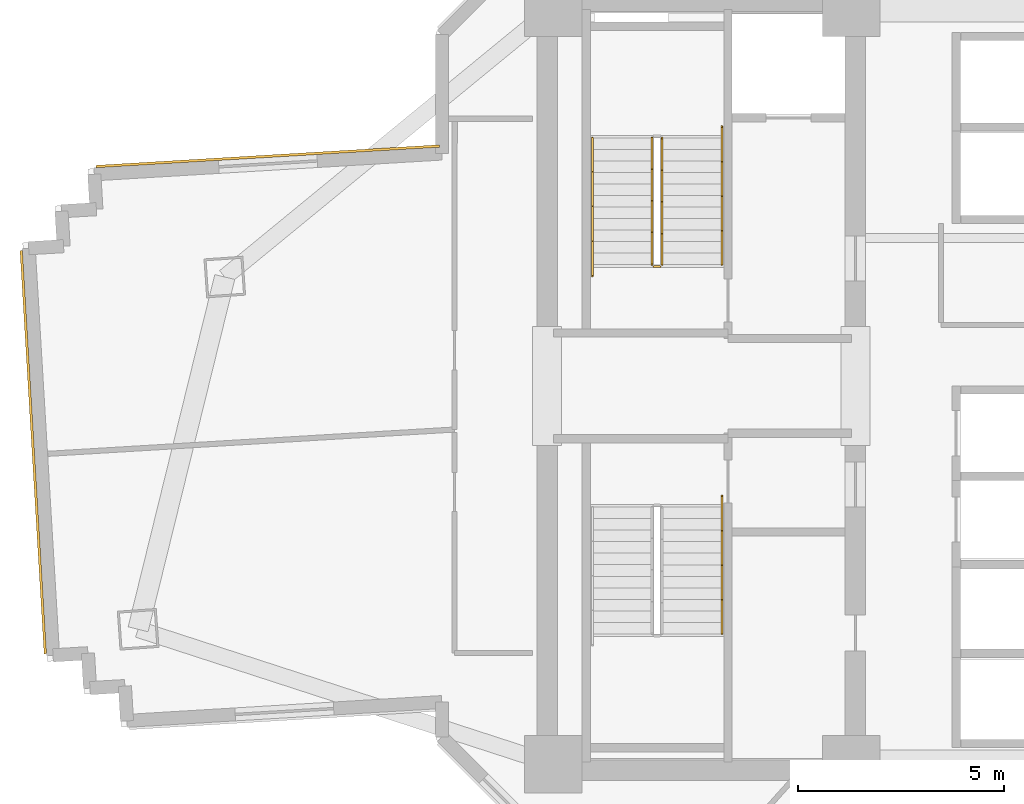
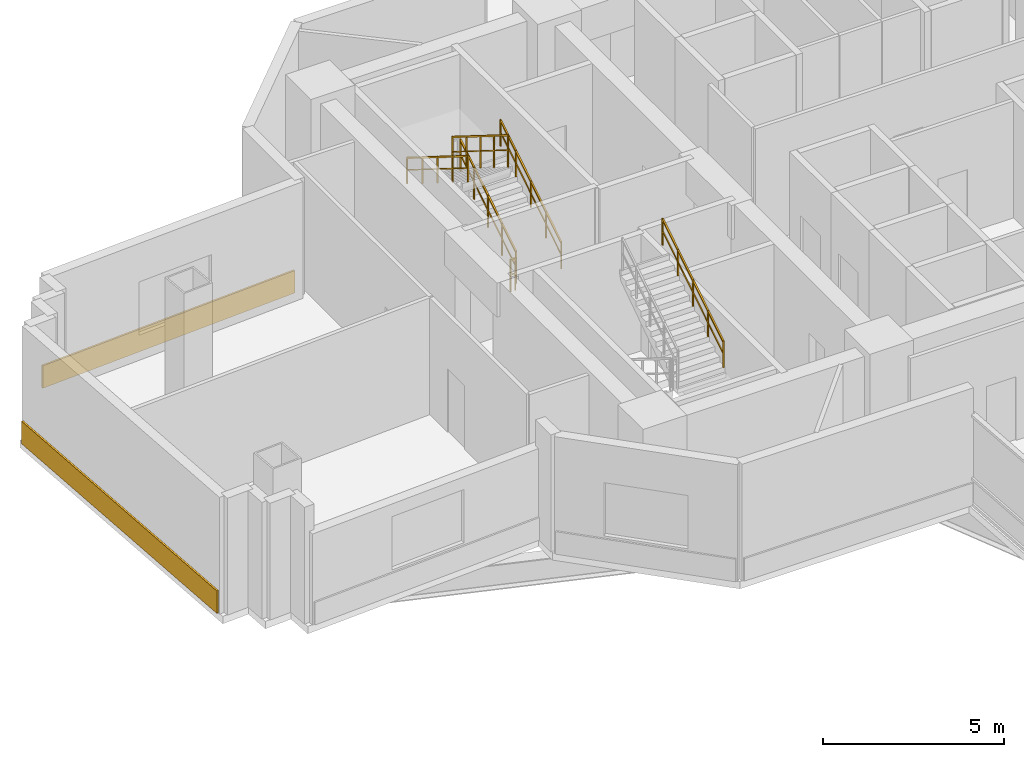
# One storey, part 12 of 15: 6 railings, 2 coverings.
"""IFC4 building model written with IfcOpenShell, lengths in metres."""

from ifc_helpers import new_model, si_unit, direction, frame, origin, origin_2d, place, context, subcontext, project, spatial, rectangle, extrude, source, transform, mapped, material, layer, layer_set, type_object, element, save


model = new_model("IFC4")

# Units and contexts
model_context = context("Model", 3, precision=1e-05, world=origin(), true_north=direction((0.0, 1.0)))
body_context = subcontext(model_context, "Body", "Model", "MODEL_VIEW")
ifc_project = project(units=[si_unit("LENGTHUNIT", "METRE"), si_unit("AREAUNIT", "SQUARE_METRE"), si_unit("VOLUMEUNIT", "CUBIC_METRE"), si_unit("PLANEANGLEUNIT", "RADIAN"), si_unit("MASSUNIT", "GRAM", prefix="KILO")], contexts=[model_context])

# Site, building, storey
site_placement = place(None, origin())
site = spatial("IfcSite", under=ifc_project, at=site_placement, CompositionType="ELEMENT")
building_placement = place(site_placement, origin())
building = spatial("IfcBuilding", under=site, at=building_placement, Name="Zahravan Cultural Tower", CompositionType="ELEMENT")
storey_placement = place(building_placement, frame((0.0, 0.0, 71.10009765625)))
storey = spatial("IfcBuildingStorey", under=building, at=storey_placement, Name="L15", CompositionType="ELEMENT", Elevation=71.10009765625)

# Railings
ifc_material_1 = material(Name="Steel ASTM A572 Grade 50", Category="steel")
railing_type_1 = type_object("IfcRailingType", Name="RL-STAIR-GRD1150", PredefinedType="BALUSTRADE", material=ifc_material_1)
railing_1_placement = place(storey_placement, frame((24.300048828125, 29.949951171875, 0.1748046875)))
element("IfcRailing", 1, at=railing_1_placement, inside=storey, type_object=railing_type_1, Name="L15 ST-W1 stair guard 1", PredefinedType="BALUSTRADE", context=body_context, shape_type="SweptSolid", body=[
    extrude(rectangle(XDim=0.05, YDim=0.05, at=origin_2d()), frame((0.0, 0.0, 1.0751953125), z_axis=(0.0, 0.847998304005, 0.529998940003), x_axis=(-1.0, 0.0, 0.0)), (0.0, 0.0, 1.0), 3.632080078125),
    extrude(rectangle(XDim=0.032, YDim=0.032, at=origin_2d()), frame((0.0, 0.0, 0.572021484375), z_axis=(0.0, 0.847998304005, 0.529998940003), x_axis=(-1.0, 0.0, 0.0)), (0.0, 0.0, 1.0), 3.632080078125),
    extrude(rectangle(XDim=0.04, YDim=0.04, at=origin_2d()), origin(), (0.0, 0.0, 1.0), 1.10009765625),
    extrude(rectangle(XDim=0.04, YDim=0.04, at=origin_2d()), frame((0.0, 0.77001953125, 0.481201171875)), (0.0, 0.0, 1.0), 1.10009765625),
    extrude(rectangle(XDim=0.04, YDim=0.04, at=origin_2d()), frame((0.0, 1.5400390625, 0.96240234375)), (0.0, 0.0, 1.0), 1.10009765625),
    extrude(rectangle(XDim=0.04, YDim=0.04, at=origin_2d()), frame((0.0, 2.31005859375, 1.44384765625)), (0.0, 0.0, 1.0), 1.10009765625),
    extrude(rectangle(XDim=0.04, YDim=0.04, at=origin_2d()), frame((0.0, 3.080078125, 1.925048828125)), (0.0, 0.0, 1.0), 1.10009765625),
])
railing_2_placement = place(storey_placement, frame((24.050048828125, 33.030029296875, 2.27490234375)))
element("IfcRailing", 2, at=railing_2_placement, inside=storey, type_object=railing_type_1, Name="L15 ST-W1 stair guard 3", PredefinedType="BALUSTRADE", context=body_context, shape_type="SweptSolid", body=[
    extrude(rectangle(XDim=0.05, YDim=0.05, at=origin_2d()), frame((0.0, 0.0, 1.0751953125), z_axis=(0.0, -0.847998304005, 0.529998940003), x_axis=(1.0, 0.0, 0.0)), (0.0, 0.0, 1.0), 3.632080078125),
    extrude(rectangle(XDim=0.032, YDim=0.032, at=origin_2d()), frame((0.0, 0.0, 0.572021484375), z_axis=(0.0, -0.847998304005, 0.529998940003), x_axis=(1.0, 0.0, 0.0)), (0.0, 0.0, 1.0), 3.632080078125),
    extrude(rectangle(XDim=0.04, YDim=0.04, at=origin_2d()), origin(), (0.0, 0.0, 1.0), 1.10009765625),
    extrude(rectangle(XDim=0.04, YDim=0.04, at=origin_2d()), frame((0.0, -0.77001953125, 0.481201171875)), (0.0, 0.0, 1.0), 1.10009765625),
    extrude(rectangle(XDim=0.04, YDim=0.04, at=origin_2d()), frame((0.0, -1.5400390625, 0.96240234375)), (0.0, 0.0, 1.0), 1.10009765625),
    extrude(rectangle(XDim=0.04, YDim=0.04, at=origin_2d()), frame((0.0, -2.31005859375, 1.44384765625)), (0.0, 0.0, 1.0), 1.10009765625),
    extrude(rectangle(XDim=0.04, YDim=0.04, at=origin_2d()), frame((0.0, -3.080078125, 1.925048828125)), (0.0, 0.0, 1.0), 1.10009765625),
])
railing_3_placement = place(storey_placement, frame((24.25, 29.89990234375, 0.0)))
element("IfcRailing", 3, at=railing_3_placement, inside=storey, type_object=railing_type_1, Name="L15 ST-W1 stair guard 4", PredefinedType="BALUSTRADE", context=body_context, shape_type="SweptSolid", body=[
    extrude(rectangle(XDim=0.05, YDim=0.05, at=origin_2d()), frame((0.0, 0.0, 1.0751953125), z_axis=(-1.0, 0.0, 0.0), x_axis=(0.0, -1.0, 0.0)), (0.0, 0.0, 1.0), 0.14990234375),
    extrude(rectangle(XDim=0.032, YDim=0.032, at=origin_2d()), frame((0.0, 0.0, 0.572021484375), z_axis=(-1.0, 0.0, 0.0), x_axis=(0.0, -1.0, 0.0)), (0.0, 0.0, 1.0), 0.14990234375),
    extrude(rectangle(XDim=0.04, YDim=0.04, at=origin_2d()), origin(), (0.0, 0.0, 1.0), 1.10009765625),
    extrude(rectangle(XDim=0.04, YDim=0.04, at=origin_2d()), frame((-0.14990234375, 0.0, 0.0)), (0.0, 0.0, 1.0), 1.10009765625),
])
railing_type_2 = type_object("IfcRailingType", Name="RL-STAIR-HR900", PredefinedType="HANDRAIL", material=ifc_material_1)
railing_4_placement = place(storey_placement, frame((25.75, 29.949951171875, 0.1748046875)))
element("IfcRailing", 4, at=railing_4_placement, inside=storey, type_object=railing_type_2, Name="L15 ST-W1 stair handrail 1", PredefinedType="HANDRAIL", context=body_context, shape_type="SweptSolid", body=[
    extrude(rectangle(XDim=0.05, YDim=0.05, at=origin_2d()), frame((0.0, 0.0, 0.875), z_axis=(0.0, 0.847994842521, 0.530004478338), x_axis=(-1.0, 0.0, 0.0)), (0.0, 0.0, 1.0), 3.96240234375),
    extrude(rectangle(XDim=0.032, YDim=0.032, at=origin_2d()), frame((0.0, 0.0, 0.468017578125), z_axis=(0.0, 0.847994842521, 0.530004478338), x_axis=(-1.0, 0.0, 0.0)), (0.0, 0.0, 1.0), 3.96240234375),
    extrude(rectangle(XDim=0.04, YDim=0.04, at=origin_2d()), origin(), (0.0, 0.0, 1.0), 0.89990234375),
    extrude(rectangle(XDim=0.04, YDim=0.04, at=origin_2d()), frame((0.0, 0.840087890625, 0.52490234375)), (0.0, 0.0, 1.0), 0.89990234375),
    extrude(rectangle(XDim=0.04, YDim=0.04, at=origin_2d()), frame((0.0, 1.68017578125, 1.050048828125)), (0.0, 0.0, 1.0), 0.89990234375),
    extrude(rectangle(XDim=0.04, YDim=0.04, at=origin_2d()), frame((0.0, 2.52001953125, 1.5751953125)), (0.0, 0.0, 1.0), 0.89990234375),
    extrude(rectangle(XDim=0.04, YDim=0.04, at=origin_2d()), frame((0.0, 3.360107421875, 2.10009765625)), (0.0, 0.0, 1.0), 0.89990234375),
])
railing_5_placement = place(storey_placement, frame((22.60009765625, 33.030029296875, 2.27490234375)))
element("IfcRailing", 5, at=railing_5_placement, inside=storey, type_object=railing_type_2, Name="L15 ST-W1 stair handrail 2", PredefinedType="HANDRAIL", context=body_context, shape_type="SweptSolid", body=[
    extrude(rectangle(XDim=0.05, YDim=0.05, at=origin_2d()), frame((0.0, 0.0, 0.875), z_axis=(0.0, -0.847994842521, 0.530004478338), x_axis=(1.0, 0.0, 0.0)), (0.0, 0.0, 1.0), 3.96240234375),
    extrude(rectangle(XDim=0.032, YDim=0.032, at=origin_2d()), frame((0.0, 0.0, 0.468017578125), z_axis=(0.0, -0.847994842521, 0.530004478338), x_axis=(1.0, 0.0, 0.0)), (0.0, 0.0, 1.0), 3.96240234375),
    extrude(rectangle(XDim=0.04, YDim=0.04, at=origin_2d()), origin(), (0.0, 0.0, 1.0), 0.89990234375),
    extrude(rectangle(XDim=0.04, YDim=0.04, at=origin_2d()), frame((0.0, -0.840087890625, 0.52490234375)), (0.0, 0.0, 1.0), 0.89990234375),
    extrude(rectangle(XDim=0.04, YDim=0.04, at=origin_2d()), frame((0.0, -1.68017578125, 1.050048828125)), (0.0, 0.0, 1.0), 0.89990234375),
    extrude(rectangle(XDim=0.04, YDim=0.04, at=origin_2d()), frame((0.0, -2.52001953125, 1.5751953125)), (0.0, 0.0, 1.0), 0.89990234375),
    extrude(rectangle(XDim=0.04, YDim=0.04, at=origin_2d()), frame((0.0, -3.360107421875, 2.10009765625)), (0.0, 0.0, 1.0), 0.89990234375),
])
railing_6_placement = place(storey_placement, frame((25.75, 20.969970703125, 2.27490234375)))
element("IfcRailing", 6, at=railing_6_placement, inside=storey, type_object=railing_type_2, Name="L15 ST-W2 stair handrail 2", PredefinedType="HANDRAIL", context=body_context, shape_type="SweptSolid", body=[
    extrude(rectangle(XDim=0.05, YDim=0.05, at=origin_2d()), frame((0.0, 0.0, 0.875), z_axis=(0.0, 0.847994842521, 0.530004478338), x_axis=(-1.0, 0.0, 0.0)), (0.0, 0.0, 1.0), 3.96240234375),
    extrude(rectangle(XDim=0.032, YDim=0.032, at=origin_2d()), frame((0.0, 0.0, 0.468017578125), z_axis=(0.0, 0.847994842521, 0.530004478338), x_axis=(-1.0, 0.0, 0.0)), (0.0, 0.0, 1.0), 3.96240234375),
    extrude(rectangle(XDim=0.04, YDim=0.04, at=origin_2d()), origin(), (0.0, 0.0, 1.0), 0.89990234375),
    extrude(rectangle(XDim=0.04, YDim=0.04, at=origin_2d()), frame((0.0, 0.840087890625, 0.52490234375)), (0.0, 0.0, 1.0), 0.89990234375),
    extrude(rectangle(XDim=0.04, YDim=0.04, at=origin_2d()), frame((0.0, 1.68017578125, 1.050048828125)), (0.0, 0.0, 1.0), 0.89990234375),
    extrude(rectangle(XDim=0.04, YDim=0.04, at=origin_2d()), frame((0.0, 2.52001953125, 1.5751953125)), (0.0, 0.0, 1.0), 0.89990234375),
    extrude(rectangle(XDim=0.04, YDim=0.04, at=origin_2d()), frame((0.0, 3.360107421875, 2.10009765625)), (0.0, 0.0, 1.0), 0.89990234375),
])

# Coverings
ifc_material_2 = material(Name="Terracotta ceramic cladding", Category="masonry")
ifc_layer = layer(ifc_material_2, 0.06005859375)
ifc_layer_set = layer_set([ifc_layer], Name="Terracotta ceramic cladding")
covering_type = type_object("IfcCoveringType", Name="COV-CLAD-TC60", PredefinedType="CLADDING", material=ifc_layer_set)
shared_shape_1 = source(origin(), body_context, "Body", "SweptSolid", [
    extrude(rectangle(XDim=9.820068359375, YDim=0.06005859375, at=origin_2d()), origin(), (0.0, 0.0, 1.0), 0.760009765625),
])
covering_1_placement = place(storey_placement, frame((9.003173828125, 25.38671875, 0.02001953125), z_axis=(0.0, 0.0, 1.0), x_axis=(-0.05965482139, 0.998219065278, 0.0)))
element("IfcCovering", 7, at=covering_1_placement, inside=storey, type_object=covering_type, Name="L15 Terracotta Spandrel Cladding 33", PredefinedType="CLADDING", context=body_context, shape_type="MappedRepresentation", body=[
    mapped(shared_shape_1, transform((0.0, 0.0, 0.0), x_axis=(1.0, 0.0, 0.0), y_axis=(0.0, 1.0, 0.0), z_axis=(0.0, 0.0, 1.0), scale=1.0)),
])
shared_shape_2 = source(origin(), body_context, "Body", "SweptSolid", [
    extrude(rectangle(XDim=8.36767578125, YDim=0.06005859375, at=origin_2d()), origin(), (0.0, 0.0, 1.0), 0.760009765625),
])
covering_2_placement = place(storey_placement, frame((14.70263671875, 32.58447265625, 0.02001953125), z_axis=(0.0, 0.0, 1.0), x_axis=(0.998219065278, 0.05965482139, 0.0)))
element("IfcCovering", 8, at=covering_2_placement, inside=storey, type_object=covering_type, Name="L15 Terracotta Spandrel Cladding 38", PredefinedType="CLADDING", context=body_context, shape_type="MappedRepresentation", body=[
    mapped(shared_shape_2, transform((0.0, 0.0, 0.0), x_axis=(1.0, 0.0, 0.0), y_axis=(0.0, 1.0, 0.0), z_axis=(0.0, 0.0, 1.0), scale=1.0)),
])

save(model, "model.ifc")
